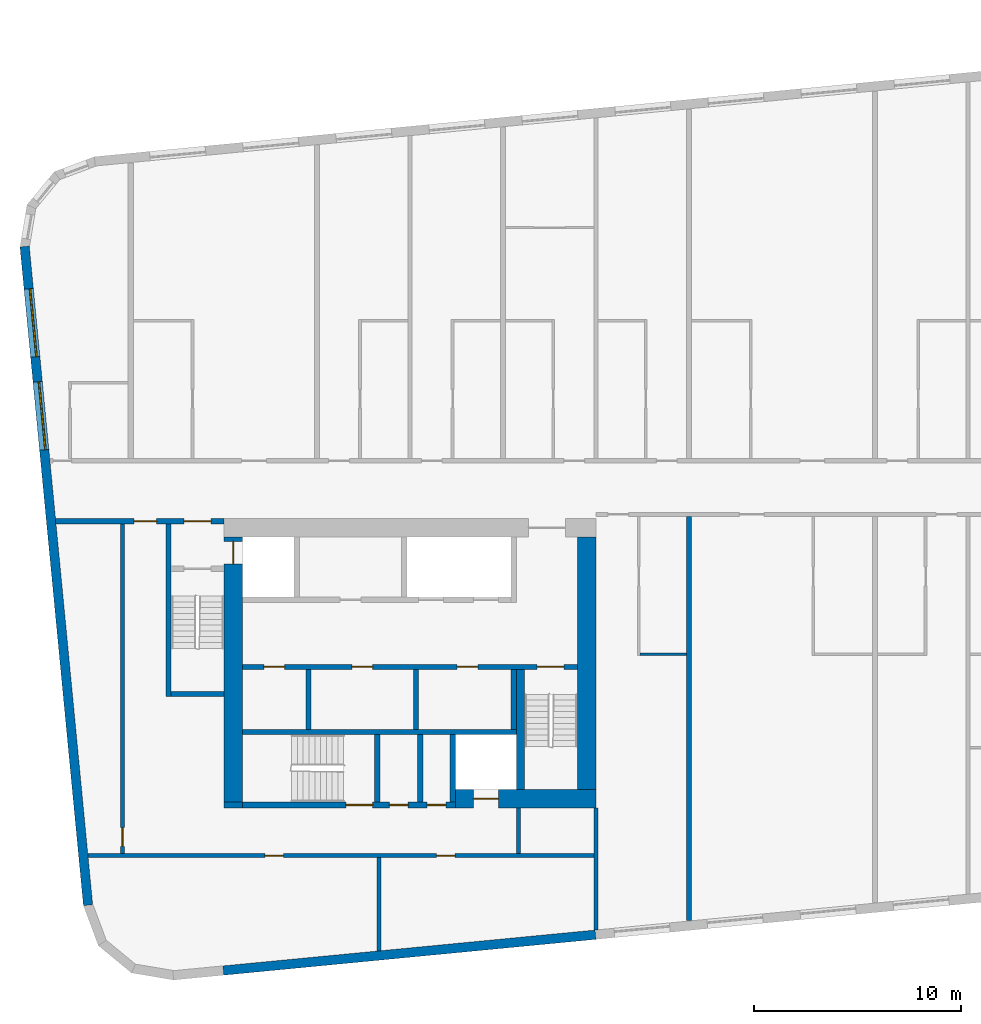
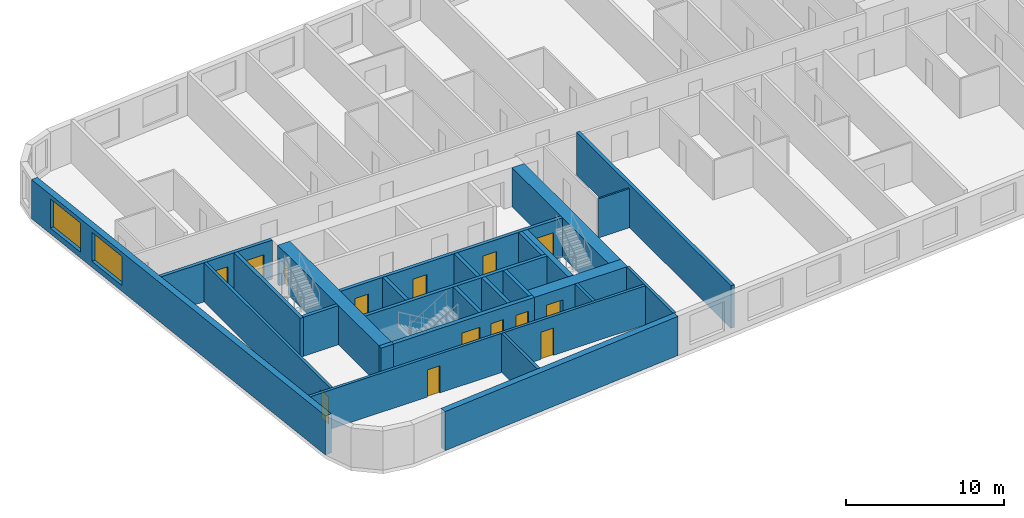
# One storey, part 2 of 12: 26 walls, 14 doors, 2 windows, 16 openings.
"""IFC4 building model written with IfcOpenShell, lengths in metres."""

from ifc_helpers import new_model, si_unit, direction, frame, frame_2d, origin, place, context, subcontext, project, spatial, rectangle, extrude, material, layer, layer_set, type_object, element, fill, save


model = new_model("IFC4")

# Units and contexts
model_context = context("Model", 3, precision=1e-05, world=origin(), true_north=direction((0.0, 1.0)))
body_context = subcontext(model_context, "Body", "Model", "MODEL_VIEW")
ifc_project = project(units=[si_unit("LENGTHUNIT", "METRE"), si_unit("AREAUNIT", "SQUARE_METRE"), si_unit("VOLUMEUNIT", "CUBIC_METRE"), si_unit("PLANEANGLEUNIT", "RADIAN"), si_unit("MASSUNIT", "GRAM", prefix="KILO")], contexts=[model_context])

# Site, building, storey
site_placement = place(None, origin())
site = spatial("IfcSite", under=ifc_project, at=site_placement, CompositionType="ELEMENT")
building_placement = place(site_placement, origin())
building = spatial("IfcBuilding", under=site, at=building_placement, Name="Kajstack Hotel Tower", CompositionType="ELEMENT")
storey_placement = place(building_placement, frame((0.0, 0.0, 301.5)))
storey = spatial("IfcBuildingStorey", under=building, at=storey_placement, Name="L76", CompositionType="ELEMENT", Elevation=301.5)

# Wall, opening, door
ifc_material_1 = material(Name="Concrete C60/75", Category="concrete")
ifc_layer_1 = layer(ifc_material_1, 0.89990234375)
ifc_layer_set_1 = layer_set([ifc_layer_1], Name="Core wall 900")
wall_type_1 = type_object("IfcWallType", Name="Core wall 900", PredefinedType="SHEAR", material=ifc_layer_set_1)
wall_1_placement = place(storey_placement, frame((-20.300048828125, -15.050048828125, 0.0), z_axis=(0.0, 0.0, 1.0), x_axis=(1.0, 0.0, 0.0)))
wall_1 = element("IfcWall", 1, at=wall_1_placement, inside=storey, type_object=wall_type_1, Name="Core wall W RS", PredefinedType="SHEAR", context=body_context, shape_type="SweptSolid", body=[
    extrude(rectangle(XDim=6.800048828125, YDim=0.89990234375, at=frame_2d((3.39990234375, 0.0))), origin(), (0.0, 0.0, 1.0), 3.02001953125),
])
opening_1_placement = place(wall_1_placement, frame((0.875, 0.0, 0.0)))
opening_1 = element("IfcOpeningElement", 2, at=opening_1_placement, cuts=wall_1, Name="Opening LD-SV1", PredefinedType="OPENING", context=body_context, shape_type="SweptSolid", body=[
    extrude(rectangle(XDim=1.199951171875, YDim=2.10009765625, at=frame_2d((0.60009765625, 1.050048828125))), frame((0.0, 0.4599609375, 0.0), z_axis=(0.0, -1.0, 0.0), x_axis=(1.0, 0.0, 0.0)), (0.0, 0.0, 1.0), 0.919921875),
])
ifc_material_2 = material(Name="Stainless steel", Category="steel")
door_type_1 = type_object("IfcDoorType", Name="Lift landing door 1200", OperationType="SLIDING_TO_LEFT", PredefinedType="DOOR", material=ifc_material_2)
door_1_placement = place(opening_1_placement, origin())
door_1 = element("IfcDoor", 3, at=door_1_placement, inside=storey, type_object=door_type_1, Name="Landing door SV1", OperationType="SLIDING_TO_LEFT", OverallHeight=2.10009765625, OverallWidth=1.199951171875, PredefinedType="DOOR", context=body_context, shape_type="SweptSolid", body=[
    extrude(rectangle(XDim=1.199951171875, YDim=2.10009765625, at=frame_2d((0.60009765625, 1.050048828125))), frame((0.0, 0.02490234375, 0.0), z_axis=(0.0, -1.0, 0.0), x_axis=(1.0, 0.0, 0.0)), (0.0, 0.0, 1.0), 0.050048828125),
])
fill(opening_1, door_1)

# Wall
wall_2_placement = place(storey_placement, frame((-31.5, -15.35009765625, 0.0), z_axis=(0.0, 0.0, 1.0), x_axis=(1.0, 0.0, 0.0)))
element("IfcWall", 4, at=wall_2_placement, inside=storey, type_object=wall_type_1, Name="Core wall W RSW", PredefinedType="SHEAR", context=body_context, shape_type="SweptSolid", body=[
    extrude(rectangle(XDim=0.89990234375, YDim=0.300048828125, at=frame_2d((0.449951171875, 0.0))), origin(), (0.0, 0.0, 1.0), 3.02001953125),
])

# Wall, opening, door
wall_3_placement = place(storey_placement, frame((-31.050048828125, -15.199951171875, 0.0), z_axis=(0.0, 0.0, 1.0), x_axis=(0.0, 1.0, 0.0)))
wall_3 = element("IfcWall", 5, at=wall_3_placement, inside=storey, type_object=wall_type_1, Name="Core wall W RW", PredefinedType="SHEAR", context=body_context, shape_type="SweptSolid", body=[
    extrude(rectangle(XDim=12.800048828125, YDim=0.89990234375, at=frame_2d((6.39990234375, 0.0))), origin(), (0.0, 0.0, 1.0), 3.02001953125),
])
opening_2_placement = place(wall_3_placement, frame((11.5, 0.0, 0.0)))
opening_2 = element("IfcOpeningElement", 6, at=opening_2_placement, cuts=wall_3, Name="Opening LD-FF1", PredefinedType="OPENING", context=body_context, shape_type="SweptSolid", body=[
    extrude(rectangle(XDim=1.10009765625, YDim=2.10009765625, at=frame_2d((0.550048828125, 1.050048828125))), frame((0.0, 0.4599609375, 0.0), z_axis=(0.0, -1.0, 0.0), x_axis=(1.0, 0.0, 0.0)), (0.0, 0.0, 1.0), 0.919921875),
])
door_type_2 = type_object("IfcDoorType", Name="Fire-fighting lift landing door 1100", OperationType="SLIDING_TO_LEFT", PredefinedType="DOOR", material=ifc_material_2)
door_2_placement = place(opening_2_placement, origin())
door_2 = element("IfcDoor", 7, at=door_2_placement, inside=storey, type_object=door_type_2, Name="Landing door FF1", OperationType="SLIDING_TO_RIGHT", OverallHeight=2.10009765625, OverallWidth=1.10009765625, PredefinedType="DOOR", context=body_context, shape_type="SweptSolid", body=[
    extrude(rectangle(XDim=1.10009765625, YDim=2.10009765625, at=frame_2d((0.550048828125, 1.050048828125))), frame((0.0, 0.02490234375, 0.0), z_axis=(0.0, -1.0, 0.0), x_axis=(1.0, 0.0, 0.0)), (0.0, 0.0, 1.0), 0.050048828125),
])
fill(opening_2, door_2)

# Walls
wall_4_placement = place(storey_placement, frame((-13.949951171875, -14.60009765625, 0.0), z_axis=(0.0, 0.0, 1.0), x_axis=(0.0, 1.0, 0.0)))
element("IfcWall", 8, at=wall_4_placement, inside=storey, type_object=wall_type_1, Name="Core wall W RE", PredefinedType="SHEAR", context=body_context, shape_type="SweptSolid", body=[
    extrude(rectangle(XDim=12.2001953125, YDim=0.89990234375, at=frame_2d((6.10009765625, 0.0))), origin(), (0.0, 0.0, 1.0), 3.02001953125),
])
ifc_material_3 = material(Name="Twin-frame gypsum board on steel studs, mineral wool", Category="steel")
ifc_layer_2 = layer(ifc_material_3, 0.199951171875)
ifc_layer_set_2 = layer_set([ifc_layer_2], Name="Demising wall 200")
wall_type_2 = type_object("IfcWallType", Name="Demising wall 200", PredefinedType="PARTITIONING", material=ifc_layer_set_2)
wall_5_placement = place(storey_placement, frame((-13.5, -21.39599609375, 0.0), z_axis=(0.0, 0.0, 1.0), x_axis=(0.0, 1.0, 0.0)))
element("IfcWall", 9, at=wall_5_placement, inside=storey, type_object=wall_type_2, Name="G-wall-L76-002", PredefinedType="PARTITIONING", context=body_context, shape_type="SweptSolid", body=[
    extrude(rectangle(XDim=5.89599609375, YDim=0.199951171875, at=frame_2d((2.947998046875, 0.0))), origin(), (0.0, 0.0, 1.0), 3.02001953125),
])
ifc_material_4 = material(Name="Concrete C40/50", Category="concrete")
ifc_layer_3 = layer(ifc_material_4, 0.449951171875)
ifc_layer_set_3 = layer_set([ifc_layer_3], Name="EW-CORE")
wall_type_3 = type_object("IfcWallType", Name="EW-CORE", PredefinedType="SOLIDWALL", material=ifc_layer_set_3)
wall_6_placement = place(storey_placement, frame((-31.521484375, -23.357177734375, 0.0), z_axis=(0.0, 0.0, 1.0), x_axis=(0.995396454615, 0.095843091245, 0.0)))
element("IfcWall", 10, at=wall_6_placement, inside=storey, type_object=wall_type_3, Name="E-wall-L76-04-01", PredefinedType="SOLIDWALL", context=body_context, shape_type="SweptSolid", body=[
    extrude(rectangle(XDim=18.083251953125, YDim=0.449951171875, at=frame_2d((9.04150390625, 0.0))), origin(), (0.0, 0.0, 1.0), 3.02001953125),
])

# Wall, openings, windows
ifc_material_5 = material(Name="Terracotta-faced brick masonry", Category="masonry")
ifc_layer_4 = layer(ifc_material_5, 0.449951171875)
ifc_layer_set_4 = layer_set([ifc_layer_4], Name="EW-TERRA")
wall_type_4 = type_object("IfcWallType", Name="EW-TERRA", PredefinedType="SOLIDWALL", material=ifc_layer_set_4)
wall_7_placement = place(storey_placement, frame((-41.13232421875, 11.657958984375, 0.0), z_axis=(0.0, 0.0, 1.0), x_axis=(0.095847749461, -0.995396006082, 0.0)))
wall_7 = element("IfcWall", 11, at=wall_7_placement, inside=storey, type_object=wall_type_4, Name="E-wall-L76-00-00", PredefinedType="SOLIDWALL", context=body_context, shape_type="SweptSolid", body=[
    extrude(rectangle(XDim=32.0, YDim=0.449951171875, at=frame_2d((16.0, 0.0))), origin(), (0.0, 0.0, 1.0), 3.02001953125),
])
opening_3_placement = place(wall_7_placement, frame((2.053466796875, 0.0, 0.449951171875)))
opening_3 = element("IfcOpeningElement", 12, at=opening_3_placement, cuts=wall_7, Name="Opening W2", PredefinedType="OPENING", context=body_context, shape_type="SweptSolid", body=[
    extrude(rectangle(XDim=3.300048828125, YDim=2.25, at=frame_2d((1.64990234375, 1.125))), frame((0.0, 0.23486328125, 0.0), z_axis=(0.0, -1.0, 0.0), x_axis=(1.0, 0.0, 0.0)), (0.0, 0.0, 1.0), 0.469970703125),
])
opening_4_placement = place(wall_7_placement, frame((6.57421875, 0.0, 0.449951171875)))
opening_4 = element("IfcOpeningElement", 13, at=opening_4_placement, cuts=wall_7, Name="Opening W2", PredefinedType="OPENING", context=body_context, shape_type="SweptSolid", body=[
    extrude(rectangle(XDim=3.300048828125, YDim=2.25, at=frame_2d((1.64990234375, 1.125))), frame((0.0, 0.23486328125, 0.0), z_axis=(0.0, -1.0, 0.0), x_axis=(1.0, 0.0, 0.0)), (0.0, 0.0, 1.0), 0.469970703125),
])
ifc_material_6 = material(Name="Timber-aluminium window, triple glazed", Category="wood")
window_type = type_object("IfcWindowType", Name="WG2", PartitioningType="SINGLE_PANEL", PredefinedType="WINDOW", material=ifc_material_6)
window_1_placement = place(opening_3_placement, origin())
window_1 = element("IfcWindow", 14, at=window_1_placement, inside=storey, type_object=window_type, Name="Window W2 L76-00", OverallHeight=2.25, OverallWidth=3.300048828125, PartitioningType="SINGLE_PANEL", PredefinedType="WINDOW", context=body_context, shape_type="SweptSolid", body=[
    extrude(rectangle(XDim=3.300048828125, YDim=2.25, at=frame_2d((1.64990234375, 1.125))), frame((0.0, 0.090087890625, 0.0), z_axis=(0.0, -1.0, 0.0), x_axis=(1.0, 0.0, 0.0)), (0.0, 0.0, 1.0), 0.06005859375),
])
fill(opening_3, window_1)
window_2_placement = place(opening_4_placement, origin())
window_2 = element("IfcWindow", 15, at=window_2_placement, inside=storey, type_object=window_type, Name="Window W2 L76-00", OverallHeight=2.25, OverallWidth=3.300048828125, PartitioningType="SINGLE_PANEL", PredefinedType="WINDOW", context=body_context, shape_type="SweptSolid", body=[
    extrude(rectangle(XDim=3.300048828125, YDim=2.25, at=frame_2d((1.64990234375, 1.125))), frame((0.0, 0.090087890625, 0.0), z_axis=(0.0, -1.0, 0.0), x_axis=(1.0, 0.0, 0.0)), (0.0, 0.0, 1.0), 0.06005859375),
])
fill(opening_4, window_2)

# Walls
ifc_material_7 = material(Name="Gypsum board and tiled backer on steel studs", Category="steel")
ifc_layer_5 = layer(ifc_material_7, 0.125)
ifc_layer_set_5 = layer_set([ifc_layer_5], Name="En-suite wall 125")
wall_type_5 = type_object("IfcWallType", Name="En-suite wall 125", PredefinedType="PARTITIONING", material=ifc_layer_set_5)
wall_8_placement = place(storey_placement, frame((-11.375, -8.06201171875, 0.0), z_axis=(0.0, 0.0, 1.0), x_axis=(1.0, 0.0, 0.0)))
element("IfcWall", 16, at=wall_8_placement, inside=storey, type_object=wall_type_5, Name="G-wall-L76-030", PredefinedType="PARTITIONING", context=body_context, shape_type="SweptSolid", body=[
    extrude(rectangle(XDim=2.25, YDim=0.125, at=frame_2d((1.125, 0.0))), origin(), (0.0, 0.0, 1.0), 3.02001953125),
])
ifc_layer_6 = layer(ifc_material_4, 0.25)
ifc_layer_set_6 = layer_set([ifc_layer_6], Name="RC cross wall 250 C40/50")
wall_type_6 = type_object("IfcWallType", Name="RC cross wall 250 C40/50", PredefinedType="SHEAR", material=ifc_layer_set_6)
wall_9_placement = place(storey_placement, frame((-9.0, -20.9404296875, 0.0), z_axis=(0.0, 0.0, 1.0), x_axis=(0.0, 1.0, 0.0)))
element("IfcWall", 17, at=wall_9_placement, inside=storey, type_object=wall_type_6, Name="S-wall-L76-04", PredefinedType="SHEAR", context=body_context, shape_type="SweptSolid", body=[
    extrude(rectangle(XDim=19.54052734375, YDim=0.25, at=frame_2d((9.770263671875, 0.0))), origin(), (0.0, 0.0, 1.0), 3.300048828125),
])
ifc_material_8 = material(Name="Concrete block masonry", Category="masonry")
ifc_layer_7 = layer(ifc_material_8, 0.25)
ifc_layer_set_7 = layer_set([ifc_layer_7], Name="Riser partition 250")
wall_type_7 = type_object("IfcWallType", Name="Riser partition 250", PredefinedType="PARTITIONING", material=ifc_layer_set_7)
for number, where, z_axis, x_axis, name in (
    (18, (-27.39990234375, -11.699951171875, 0.0), (0.0, 0.0, 1.0), (0.0, 1.0, 0.0), "Partition W BF0"),
    (19, (-22.199951171875, -11.699951171875, 0.0), (0.0, 0.0, 1.0), (0.0, 1.0, 0.0), "Partition W BF1"),
):
    element("IfcWall", number, at=place(storey_placement, frame(where, z_axis=z_axis, x_axis=x_axis)), inside=storey, type_object=wall_type_7, Name=name, PredefinedType="PARTITIONING", context=body_context, shape_type="SweptSolid", body=[
        extrude(rectangle(XDim=2.89990234375, YDim=0.25, at=frame_2d((1.449951171875, 0.0))), origin(), (0.0, 0.0, 1.0), 3.02001953125),
    ])
wall_10_placement = place(storey_placement, frame((-22.0, -15.199951171875, 0.0), z_axis=(0.0, 0.0, 1.0), x_axis=(0.0, 1.0, 0.0)))
element("IfcWall", 20, at=wall_10_placement, inside=storey, type_object=wall_type_7, Name="Partition W SZ0", PredefinedType="PARTITIONING", context=body_context, shape_type="SweptSolid", body=[
    extrude(rectangle(XDim=3.25, YDim=0.25, at=frame_2d((1.625, 0.0))), origin(), (0.0, 0.0, 1.0), 3.02001953125),
])

# Wall, openings, doors
ifc_material_9 = material(Name="Gypsum board on steel studs, mineral wool", Category="steel")
ifc_layer_8 = layer(ifc_material_9, 0.199951171875)
ifc_layer_set_8 = layer_set([ifc_layer_8], Name="Service partition 200")
wall_type_8 = type_object("IfcWallType", Name="Service partition 200", PredefinedType="PARTITIONING", material=ifc_layer_set_8)
wall_11_placement = place(storey_placement, frame((-39.627197265625, -1.625, 0.0), z_axis=(0.0, 0.0, 1.0), x_axis=(1.0, 0.0, 0.0)))
wall_11 = element("IfcWall", 21, at=wall_11_placement, inside=storey, type_object=wall_type_8, Name="Partition W SN", PredefinedType="PARTITIONING", context=body_context, shape_type="SweptSolid", body=[
    extrude(rectangle(XDim=8.127197265625, YDim=0.25, at=frame_2d((4.0634765625, 0.0))), origin(), (0.0, 0.0, 1.0), 3.02001953125),
])
opening_5_placement = place(wall_11_placement, frame((6.202392578125, 0.0, 0.0)))
opening_5 = element("IfcOpeningElement", 22, at=opening_5_placement, cuts=wall_11, Name="Opening 76W06", PredefinedType="OPENING", context=body_context, shape_type="SweptSolid", body=[
    extrude(rectangle(XDim=1.300048828125, YDim=2.10009765625, at=frame_2d((0.64990234375, 1.050048828125))), frame((0.0, 0.135009765625, 0.0), z_axis=(0.0, -1.0, 0.0), x_axis=(1.0, 0.0, 0.0)), (0.0, 0.0, 1.0), 0.27001953125),
])
opening_6_placement = place(wall_11_placement, frame((3.77734375, 0.0, 0.0)))
opening_6 = element("IfcOpeningElement", 23, at=opening_6_placement, cuts=wall_11, Name="Opening 76W08", PredefinedType="OPENING", context=body_context, shape_type="SweptSolid", body=[
    extrude(rectangle(XDim=1.10009765625, YDim=2.10009765625, at=frame_2d((0.550048828125, 1.050048828125))), frame((0.0, 0.135009765625, 0.0), z_axis=(0.0, -1.0, 0.0), x_axis=(1.0, 0.0, 0.0)), (0.0, 0.0, 1.0), 0.27001953125),
])
ifc_material_10 = material(Name="Steel leaf, fire-rated", Category="steel")
door_type_3 = type_object("IfcDoorType", Name="Fire lobby door 1300", OperationType="SINGLE_SWING_LEFT", PredefinedType="DOOR", material=ifc_material_10)
door_3_placement = place(opening_5_placement, origin())
door_3 = element("IfcDoor", 24, at=door_3_placement, inside=storey, type_object=door_type_3, Name="Door 76W06", OperationType="SINGLE_SWING_RIGHT", OverallHeight=2.10009765625, OverallWidth=1.300048828125, PredefinedType="DOOR", context=body_context, shape_type="SweptSolid", body=[
    extrude(rectangle(XDim=1.300048828125, YDim=2.10009765625, at=frame_2d((0.64990234375, 1.050048828125))), frame((0.0, 0.02490234375, 0.0), z_axis=(0.0, -1.0, 0.0), x_axis=(1.0, 0.0, 0.0)), (0.0, 0.0, 1.0), 0.050048828125),
])
fill(opening_5, door_3)
ifc_material_11 = material(Name="Timber leaf, fire-rated", Category="wood")
door_type_4 = type_object("IfcDoorType", Name="Service corridor door 1100", OperationType="SINGLE_SWING_LEFT", PredefinedType="DOOR", material=ifc_material_11)
door_4_placement = place(opening_6_placement, origin())
door_4 = element("IfcDoor", 25, at=door_4_placement, inside=storey, type_object=door_type_4, Name="Door 76W08", OperationType="SINGLE_SWING_RIGHT", OverallHeight=2.10009765625, OverallWidth=1.10009765625, PredefinedType="DOOR", context=body_context, shape_type="SweptSolid", body=[
    extrude(rectangle(XDim=1.10009765625, YDim=2.10009765625, at=frame_2d((0.550048828125, 1.050048828125))), frame((0.0, 0.02490234375, 0.0), z_axis=(0.0, -1.0, 0.0), x_axis=(1.0, 0.0, 0.0)), (0.0, 0.0, 1.0), 0.050048828125),
])
fill(opening_6, door_4)

# Wall
wall_12_placement = place(storey_placement, frame((-17.25, -17.699951171875, 0.0), z_axis=(0.0, 0.0, 1.0), x_axis=(0.0, 1.0, 0.0)))
element("IfcWall", 26, at=wall_12_placement, inside=storey, type_object=wall_type_8, Name="Partition W SCE", PredefinedType="PARTITIONING", context=body_context, shape_type="SweptSolid", body=[
    extrude(rectangle(XDim=2.199951171875, YDim=0.199951171875, at=frame_2d((1.10009765625, 0.0))), origin(), (0.0, 0.0, 1.0), 3.02001953125),
])

# Wall, opening, door
wall_13_placement = place(storey_placement, frame((-36.39990234375, -17.699951171875, 0.0), z_axis=(0.0, 0.0, 1.0), x_axis=(0.0, 1.0, 0.0)))
wall_13 = element("IfcWall", 27, at=wall_13_placement, inside=storey, type_object=wall_type_8, Name="Partition W WRE", PredefinedType="PARTITIONING", context=body_context, shape_type="SweptSolid", body=[
    extrude(rectangle(XDim=15.949951171875, YDim=0.199951171875, at=frame_2d((7.97509765625, 0.0))), origin(), (0.0, 0.0, 1.0), 3.02001953125),
])
opening_7_placement = place(wall_13_placement, frame((0.35009765625, 0.0, 0.0)))
opening_7 = element("IfcOpeningElement", 28, at=opening_7_placement, cuts=wall_13, Name="Opening 76W19", PredefinedType="OPENING", context=body_context, shape_type="SweptSolid", body=[
    extrude(rectangle(XDim=0.89990234375, YDim=2.10009765625, at=frame_2d((0.449951171875, 1.050048828125))), frame((0.0, 0.10986328125, 0.0), z_axis=(0.0, -1.0, 0.0), x_axis=(1.0, 0.0, 0.0)), (0.0, 0.0, 1.0), 0.219970703125),
])
door_type_5 = type_object("IfcDoorType", Name="Service door 900", OperationType="SINGLE_SWING_LEFT", PredefinedType="DOOR", material=ifc_material_11)
door_5_placement = place(opening_7_placement, origin())
door_5 = element("IfcDoor", 29, at=door_5_placement, inside=storey, type_object=door_type_5, Name="Door 76W19", OperationType="SINGLE_SWING_LEFT", OverallHeight=2.10009765625, OverallWidth=0.89990234375, PredefinedType="DOOR", context=body_context, shape_type="SweptSolid", body=[
    extrude(rectangle(XDim=0.89990234375, YDim=2.10009765625, at=frame_2d((0.449951171875, 1.050048828125))), frame((0.0, 0.02490234375, 0.0), z_axis=(0.0, -1.0, 0.0), x_axis=(1.0, 0.0, 0.0)), (0.0, 0.0, 1.0), 0.050048828125),
])
fill(opening_7, door_5)

# Wall, openings, doors
wall_14_placement = place(storey_placement, frame((-38.06982421875, -17.800048828125, 0.0), z_axis=(0.0, 0.0, 1.0), x_axis=(1.0, 0.0, 0.0)))
wall_14 = element("IfcWall", 30, at=wall_14_placement, inside=storey, type_object=wall_type_8, Name="Partition W SLN", PredefinedType="PARTITIONING", context=body_context, shape_type="SweptSolid", body=[
    extrude(rectangle(XDim=24.4697265625, YDim=0.199951171875, at=frame_2d((12.23486328125, 0.0))), origin(), (0.0, 0.0, 1.0), 3.02001953125),
])
opening_8_placement = place(wall_14_placement, frame((8.557373046875, 0.0, 0.0)))
opening_8 = element("IfcOpeningElement", 31, at=opening_8_placement, cuts=wall_14, Name="Opening 76W17", PredefinedType="OPENING", context=body_context, shape_type="SweptSolid", body=[
    extrude(rectangle(XDim=0.89990234375, YDim=2.10009765625, at=frame_2d((0.449951171875, 1.050048828125))), frame((0.0, 0.10986328125, 0.0), z_axis=(0.0, -1.0, 0.0), x_axis=(1.0, 0.0, 0.0)), (0.0, 0.0, 1.0), 0.219970703125),
])
opening_9_placement = place(wall_14_placement, frame((16.857421875, 0.0, 0.0)))
opening_9 = element("IfcOpeningElement", 32, at=opening_9_placement, cuts=wall_14, Name="Opening 76W18", PredefinedType="OPENING", context=body_context, shape_type="SweptSolid", body=[
    extrude(rectangle(XDim=0.89990234375, YDim=2.10009765625, at=frame_2d((0.449951171875, 1.050048828125))), frame((0.0, 0.10986328125, 0.0), z_axis=(0.0, -1.0, 0.0), x_axis=(1.0, 0.0, 0.0)), (0.0, 0.0, 1.0), 0.219970703125),
])
door_6_placement = place(opening_8_placement, origin())
door_6 = element("IfcDoor", 33, at=door_6_placement, inside=storey, type_object=door_type_5, Name="Door 76W17", OperationType="SINGLE_SWING_RIGHT", OverallHeight=2.10009765625, OverallWidth=0.89990234375, PredefinedType="DOOR", context=body_context, shape_type="SweptSolid", body=[
    extrude(rectangle(XDim=0.89990234375, YDim=2.10009765625, at=frame_2d((0.449951171875, 1.050048828125))), frame((0.0, 0.02490234375, 0.0), z_axis=(0.0, -1.0, 0.0), x_axis=(1.0, 0.0, 0.0)), (0.0, 0.0, 1.0), 0.050048828125),
])
fill(opening_8, door_6)
door_7_placement = place(opening_9_placement, origin())
door_7 = element("IfcDoor", 34, at=door_7_placement, inside=storey, type_object=door_type_5, Name="Door 76W18", OperationType="SINGLE_SWING_RIGHT", OverallHeight=2.10009765625, OverallWidth=0.89990234375, PredefinedType="DOOR", context=body_context, shape_type="SweptSolid", body=[
    extrude(rectangle(XDim=0.89990234375, YDim=2.10009765625, at=frame_2d((0.449951171875, 1.050048828125))), frame((0.0, 0.02490234375, 0.0), z_axis=(0.0, -1.0, 0.0), x_axis=(1.0, 0.0, 0.0)), (0.0, 0.0, 1.0), 0.050048828125),
])
fill(opening_9, door_7)

# Wall
wall_15_placement = place(storey_placement, frame((-24.0, -22.407958984375, 0.0), z_axis=(0.0, 0.0, 1.0), x_axis=(0.0, 1.0, 0.0)))
element("IfcWall", 35, at=wall_15_placement, inside=storey, type_object=wall_type_8, Name="Partition W SLP0", PredefinedType="PARTITIONING", context=body_context, shape_type="SweptSolid", body=[
    extrude(rectangle(XDim=4.508056640625, YDim=0.199951171875, at=frame_2d((2.25390625, 0.0))), origin(), (0.0, 0.0, 1.0), 3.02001953125),
])

# Wall, openings, doors
ifc_material_12 = material(Name="Concrete C50/60", Category="concrete")
ifc_layer_9 = layer(ifc_material_12, 0.25)
ifc_layer_set_9 = layer_set([ifc_layer_9], Name="Shaft wall 250")
wall_type_9 = type_object("IfcWallType", Name="Shaft wall 250", PredefinedType="SHEAR", material=ifc_layer_set_9)
wall_16_placement = place(storey_placement, frame((-30.60009765625, -15.35009765625, 0.0), z_axis=(0.0, 0.0, 1.0), x_axis=(1.0, 0.0, 0.0)))
wall_16 = element("IfcWall", 36, at=wall_16_placement, inside=storey, type_object=wall_type_9, Name="Core wall W RSS", PredefinedType="SHEAR", context=body_context, shape_type="SweptSolid", body=[
    extrude(rectangle(XDim=10.300048828125, YDim=0.300048828125, at=frame_2d((5.14990234375, 0.0))), origin(), (0.0, 0.0, 1.0), 3.02001953125),
])
opening_10_placement = place(wall_16_placement, frame((5.0, 0.0, 0.0)))
opening_10 = element("IfcOpeningElement", 37, at=opening_10_placement, cuts=wall_16, Name="Opening 76W10", PredefinedType="OPENING", context=body_context, shape_type="SweptSolid", body=[
    extrude(rectangle(XDim=1.300048828125, YDim=2.10009765625, at=frame_2d((0.64990234375, 1.050048828125))), frame((0.0, 0.159912109375, 0.0), z_axis=(0.0, -1.0, 0.0), x_axis=(1.0, 0.0, 0.0)), (0.0, 0.0, 1.0), 0.320068359375),
])
opening_11_placement = place(wall_16_placement, frame((7.112548828125, 0.0, 0.0)))
opening_11 = element("IfcOpeningElement", 38, at=opening_11_placement, cuts=wall_16, Name="Opening 76W11", PredefinedType="OPENING", context=body_context, shape_type="SweptSolid", body=[
    extrude(rectangle(XDim=0.89990234375, YDim=2.10009765625, at=frame_2d((0.449951171875, 1.050048828125))), frame((0.0, 0.159912109375, 0.0), z_axis=(0.0, -1.0, 0.0), x_axis=(1.0, 0.0, 0.0)), (0.0, 0.0, 1.0), 0.320068359375),
])
opening_12_placement = place(wall_16_placement, frame((8.9375, 0.0, 0.0)))
opening_12 = element("IfcOpeningElement", 39, at=opening_12_placement, cuts=wall_16, Name="Opening 76W12", PredefinedType="OPENING", context=body_context, shape_type="SweptSolid", body=[
    extrude(rectangle(XDim=0.89990234375, YDim=2.10009765625, at=frame_2d((0.449951171875, 1.050048828125))), frame((0.0, 0.159912109375, 0.0), z_axis=(0.0, -1.0, 0.0), x_axis=(1.0, 0.0, 0.0)), (0.0, 0.0, 1.0), 0.320068359375),
])
door_8_placement = place(opening_11_placement, origin())
door_8 = element("IfcDoor", 40, at=door_8_placement, inside=storey, type_object=door_type_5, Name="Door 76W11", OperationType="SINGLE_SWING_LEFT", OverallHeight=2.10009765625, OverallWidth=0.89990234375, PredefinedType="DOOR", context=body_context, shape_type="SweptSolid", body=[
    extrude(rectangle(XDim=0.89990234375, YDim=2.10009765625, at=frame_2d((0.449951171875, 1.050048828125))), frame((0.0, 0.02490234375, 0.0), z_axis=(0.0, -1.0, 0.0), x_axis=(1.0, 0.0, 0.0)), (0.0, 0.0, 1.0), 0.050048828125),
])
fill(opening_11, door_8)
door_9_placement = place(opening_12_placement, origin())
door_9 = element("IfcDoor", 41, at=door_9_placement, inside=storey, type_object=door_type_5, Name="Door 76W12", OperationType="SINGLE_SWING_LEFT", OverallHeight=2.10009765625, OverallWidth=0.89990234375, PredefinedType="DOOR", context=body_context, shape_type="SweptSolid", body=[
    extrude(rectangle(XDim=0.89990234375, YDim=2.10009765625, at=frame_2d((0.449951171875, 1.050048828125))), frame((0.0, 0.02490234375, 0.0), z_axis=(0.0, -1.0, 0.0), x_axis=(1.0, 0.0, 0.0)), (0.0, 0.0, 1.0), 0.050048828125),
])
fill(opening_12, door_9)
door_type_6 = type_object("IfcDoorType", Name="Stair door 1300", OperationType="SINGLE_SWING_LEFT", PredefinedType="DOOR", material=ifc_material_10)
door_10_placement = place(opening_10_placement, origin())
door_10 = element("IfcDoor", 42, at=door_10_placement, inside=storey, type_object=door_type_6, Name="Door 76W10", OperationType="SINGLE_SWING_RIGHT", OverallHeight=2.10009765625, OverallWidth=1.300048828125, PredefinedType="DOOR", context=body_context, shape_type="SweptSolid", body=[
    extrude(rectangle(XDim=1.300048828125, YDim=2.10009765625, at=frame_2d((0.64990234375, 1.050048828125))), frame((0.0, 0.02490234375, 0.0), z_axis=(0.0, -1.0, 0.0), x_axis=(1.0, 0.0, 0.0)), (0.0, 0.0, 1.0), 0.050048828125),
])
fill(opening_10, door_10)

wall_17_placement = place(storey_placement, frame((-30.60009765625, -8.675048828125, 0.0), z_axis=(0.0, 0.0, 1.0), x_axis=(1.0, 0.0, 0.0)))
wall_17 = element("IfcWall", 43, at=wall_17_placement, inside=storey, type_object=wall_type_9, Name="Core wall W FB", PredefinedType="SHEAR", context=body_context, shape_type="SweptSolid", body=[
    extrude(rectangle(XDim=16.2001953125, YDim=0.25, at=frame_2d((8.10009765625, 0.0))), origin(), (0.0, 0.0, 1.0), 3.02001953125),
])
opening_13_placement = place(wall_17_placement, frame((14.25, 0.0, 0.0)))
opening_13 = element("IfcOpeningElement", 44, at=opening_13_placement, cuts=wall_17, Name="Opening 76W09", PredefinedType="OPENING", context=body_context, shape_type="SweptSolid", body=[
    extrude(rectangle(XDim=1.300048828125, YDim=2.10009765625, at=frame_2d((0.64990234375, 1.050048828125))), frame((0.0, 0.135009765625, 0.0), z_axis=(0.0, -1.0, 0.0), x_axis=(1.0, 0.0, 0.0)), (0.0, 0.0, 1.0), 0.27001953125),
])
opening_14_placement = place(wall_17_placement, frame((1.03759765625, 0.0, 0.0)))
opening_14 = element("IfcOpeningElement", 45, at=opening_14_placement, cuts=wall_17, Name="Opening 76W13", PredefinedType="OPENING", context=body_context, shape_type="SweptSolid", body=[
    extrude(rectangle(XDim=1.0, YDim=2.10009765625, at=frame_2d((0.5, 1.050048828125))), frame((0.0, 0.135009765625, 0.0), z_axis=(0.0, -1.0, 0.0), x_axis=(1.0, 0.0, 0.0)), (0.0, 0.0, 1.0), 0.27001953125),
])
opening_15_placement = place(wall_17_placement, frame((5.300048828125, 0.0, 0.0)))
opening_15 = element("IfcOpeningElement", 46, at=opening_15_placement, cuts=wall_17, Name="Opening 76W14", PredefinedType="OPENING", context=body_context, shape_type="SweptSolid", body=[
    extrude(rectangle(XDim=1.0, YDim=2.10009765625, at=frame_2d((0.5, 1.050048828125))), frame((0.0, 0.135009765625, 0.0), z_axis=(0.0, -1.0, 0.0), x_axis=(1.0, 0.0, 0.0)), (0.0, 0.0, 1.0), 0.27001953125),
])
opening_16_placement = place(wall_17_placement, frame((10.387451171875, 0.0, 0.0)))
opening_16 = element("IfcOpeningElement", 47, at=opening_16_placement, cuts=wall_17, Name="Opening 76W15", PredefinedType="OPENING", context=body_context, shape_type="SweptSolid", body=[
    extrude(rectangle(XDim=1.0, YDim=2.10009765625, at=frame_2d((0.5, 1.050048828125))), frame((0.0, 0.135009765625, 0.0), z_axis=(0.0, -1.0, 0.0), x_axis=(1.0, 0.0, 0.0)), (0.0, 0.0, 1.0), 0.27001953125),
])
door_type_7 = type_object("IfcDoorType", Name="Service room door 1000", OperationType="SINGLE_SWING_LEFT", PredefinedType="DOOR", material=ifc_material_11)
door_11_placement = place(opening_14_placement, origin())
door_11 = element("IfcDoor", 48, at=door_11_placement, inside=storey, type_object=door_type_7, Name="Door 76W13", OperationType="SINGLE_SWING_RIGHT", OverallHeight=2.10009765625, OverallWidth=1.0, PredefinedType="DOOR", context=body_context, shape_type="SweptSolid", body=[
    extrude(rectangle(XDim=1.0, YDim=2.10009765625, at=frame_2d((0.5, 1.050048828125))), frame((0.0, 0.02490234375, 0.0), z_axis=(0.0, -1.0, 0.0), x_axis=(1.0, 0.0, 0.0)), (0.0, 0.0, 1.0), 0.050048828125),
])
fill(opening_14, door_11)
door_12_placement = place(opening_15_placement, origin())
door_12 = element("IfcDoor", 49, at=door_12_placement, inside=storey, type_object=door_type_7, Name="Door 76W14", OperationType="SINGLE_SWING_RIGHT", OverallHeight=2.10009765625, OverallWidth=1.0, PredefinedType="DOOR", context=body_context, shape_type="SweptSolid", body=[
    extrude(rectangle(XDim=1.0, YDim=2.10009765625, at=frame_2d((0.5, 1.050048828125))), frame((0.0, 0.02490234375, 0.0), z_axis=(0.0, -1.0, 0.0), x_axis=(1.0, 0.0, 0.0)), (0.0, 0.0, 1.0), 0.050048828125),
])
fill(opening_15, door_12)
door_13_placement = place(opening_16_placement, origin())
door_13 = element("IfcDoor", 50, at=door_13_placement, inside=storey, type_object=door_type_7, Name="Door 76W15", OperationType="SINGLE_SWING_RIGHT", OverallHeight=2.10009765625, OverallWidth=1.0, PredefinedType="DOOR", context=body_context, shape_type="SweptSolid", body=[
    extrude(rectangle(XDim=1.0, YDim=2.10009765625, at=frame_2d((0.5, 1.050048828125))), frame((0.0, 0.02490234375, 0.0), z_axis=(0.0, -1.0, 0.0), x_axis=(1.0, 0.0, 0.0)), (0.0, 0.0, 1.0), 0.050048828125),
])
fill(opening_16, door_13)
door_14_placement = place(opening_13_placement, origin())
door_14 = element("IfcDoor", 51, at=door_14_placement, inside=storey, type_object=door_type_6, Name="Door 76W09", OperationType="SINGLE_SWING_RIGHT", OverallHeight=2.10009765625, OverallWidth=1.300048828125, PredefinedType="DOOR", context=body_context, shape_type="SweptSolid", body=[
    extrude(rectangle(XDim=1.300048828125, YDim=2.10009765625, at=frame_2d((0.64990234375, 1.050048828125))), frame((0.0, 0.02490234375, 0.0), z_axis=(0.0, -1.0, 0.0), x_axis=(1.0, 0.0, 0.0)), (0.0, 0.0, 1.0), 0.050048828125),
])
fill(opening_13, door_14)

# Walls
wall_18_placement = place(storey_placement, frame((-30.60009765625, -11.824951171875, 0.0), z_axis=(0.0, 0.0, 1.0), x_axis=(1.0, 0.0, 0.0)))
element("IfcWall", 52, at=wall_18_placement, inside=storey, type_object=wall_type_9, Name="Core wall W RB", PredefinedType="SHEAR", context=body_context, shape_type="SweptSolid", body=[
    extrude(rectangle(XDim=13.25, YDim=0.25, at=frame_2d((6.625, 0.0))), origin(), (0.0, 0.0, 1.0), 3.02001953125),
])
wall_19_placement = place(storey_placement, frame((-17.47509765625, -11.699951171875, 0.0), z_axis=(0.0, 0.0, 1.0), x_axis=(0.0, 1.0, 0.0)))
element("IfcWall", 53, at=wall_19_placement, inside=storey, type_object=wall_type_9, Name="Core wall W BE", PredefinedType="SHEAR", context=body_context, shape_type="SweptSolid", body=[
    extrude(rectangle(XDim=2.89990234375, YDim=0.25, at=frame_2d((1.449951171875, 0.0))), origin(), (0.0, 0.0, 1.0), 3.02001953125),
])
wall_20_placement = place(storey_placement, frame((-20.425048828125, -15.199951171875, 0.0), z_axis=(0.0, 0.0, 1.0), x_axis=(0.0, 1.0, 0.0)))
element("IfcWall", 54, at=wall_20_placement, inside=storey, type_object=wall_type_9, Name="Core wall W SVW", PredefinedType="SHEAR", context=body_context, shape_type="SweptSolid", body=[
    extrude(rectangle(XDim=3.25, YDim=0.25, at=frame_2d((1.625, 0.0))), origin(), (0.0, 0.0, 1.0), 3.02001953125),
])
ifc_layer_10 = layer(ifc_material_4, 0.25)
ifc_layer_set_10 = layer_set([ifc_layer_10], Name="Stair enclosure wall 250")
wall_type_10 = type_object("IfcWallType", Name="Stair enclosure wall 250", PredefinedType="SHEAR", material=ifc_layer_set_10)
wall_21_placement = place(storey_placement, frame((-34.175048828125, -10.10009765625, 0.0), z_axis=(0.0, 0.0, 1.0), x_axis=(0.0, 1.0, 0.0)))
element("IfcWall", 55, at=wall_21_placement, inside=storey, type_object=wall_type_10, Name="Core wall W W1W", PredefinedType="SHEAR", context=body_context, shape_type="SweptSolid", body=[
    extrude(rectangle(XDim=8.35009765625, YDim=0.25, at=frame_2d((4.175048828125, 0.0))), origin(), (0.0, 0.0, 1.0), 3.02001953125),
])
wall_22_placement = place(storey_placement, frame((-34.050048828125, -9.97509765625, 0.0), z_axis=(0.0, 0.0, 1.0), x_axis=(1.0, 0.0, 0.0)))
element("IfcWall", 56, at=wall_22_placement, inside=storey, type_object=wall_type_10, Name="Core wall W W1S", PredefinedType="SHEAR", context=body_context, shape_type="SweptSolid", body=[
    extrude(rectangle(XDim=2.550048828125, YDim=0.25, at=frame_2d((1.27490234375, 0.0))), origin(), (0.0, 0.0, 1.0), 3.02001953125),
])
ifc_layer_11 = layer(ifc_material_12, 0.35009765625)
ifc_layer_set_11 = layer_set([ifc_layer_11], Name="Stair enclosure wall 350")
wall_type_11 = type_object("IfcWallType", Name="Stair enclosure wall 350", PredefinedType="SHEAR", material=ifc_layer_set_11)
wall_23_placement = place(storey_placement, frame((-24.074951171875, -15.199951171875, 0.0), z_axis=(0.0, 0.0, 1.0), x_axis=(0.0, 1.0, 0.0)))
element("IfcWall", 57, at=wall_23_placement, inside=storey, type_object=wall_type_11, Name="Core wall W W3E", PredefinedType="SHEAR", context=body_context, shape_type="SweptSolid", body=[
    extrude(rectangle(XDim=3.25, YDim=0.25, at=frame_2d((1.625, 0.0))), origin(), (0.0, 0.0, 1.0), 3.02001953125),
])
ifc_layer_12 = layer(ifc_material_12, 0.39990234375)
ifc_layer_set_12 = layer_set([ifc_layer_12], Name="Stair wall 400")
wall_type_12 = type_object("IfcWallType", Name="Stair wall 400", PredefinedType="SHEAR", material=ifc_layer_set_12)
wall_24_placement = place(storey_placement, frame((-17.14990234375, -14.60009765625, 0.0), z_axis=(0.0, 0.0, 1.0), x_axis=(0.0, 1.0, 0.0)))
element("IfcWall", 58, at=wall_24_placement, inside=storey, type_object=wall_type_12, Name="Core wall W WW2", PredefinedType="SHEAR", context=body_context, shape_type="SweptSolid", body=[
    extrude(rectangle(XDim=5.800048828125, YDim=0.39990234375, at=frame_2d((2.89990234375, 0.0))), origin(), (0.0, 0.0, 1.0), 3.02001953125),
])

save(model, "model.ifc")
